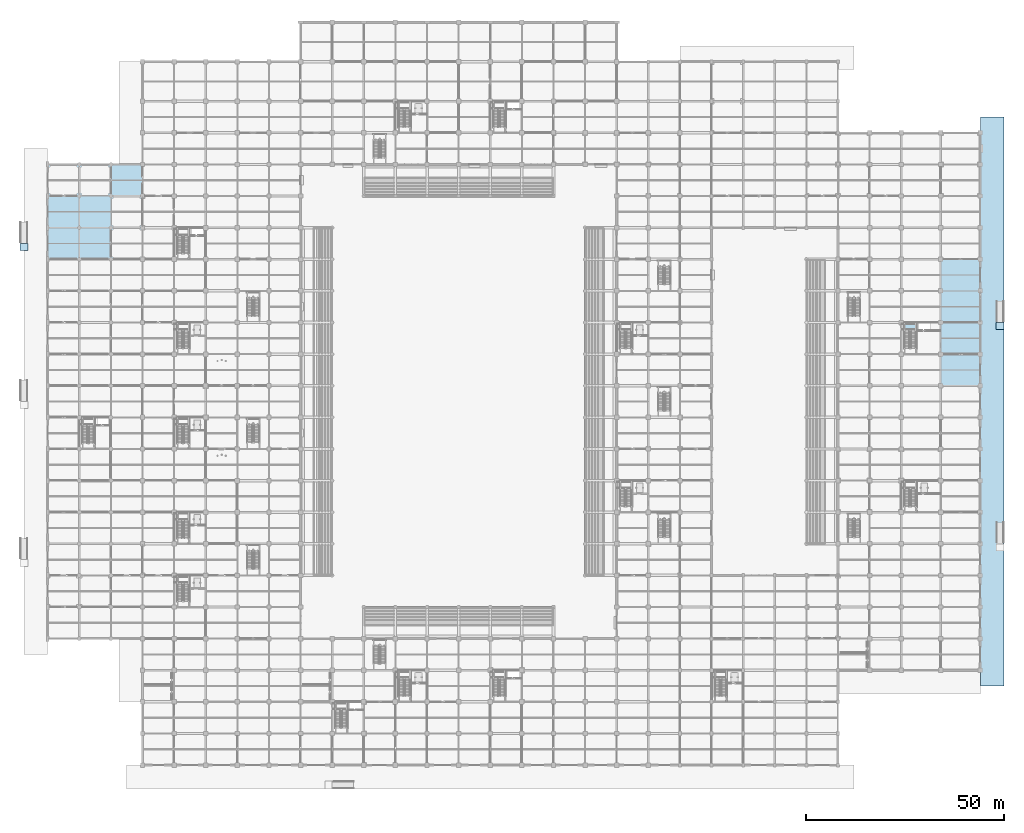
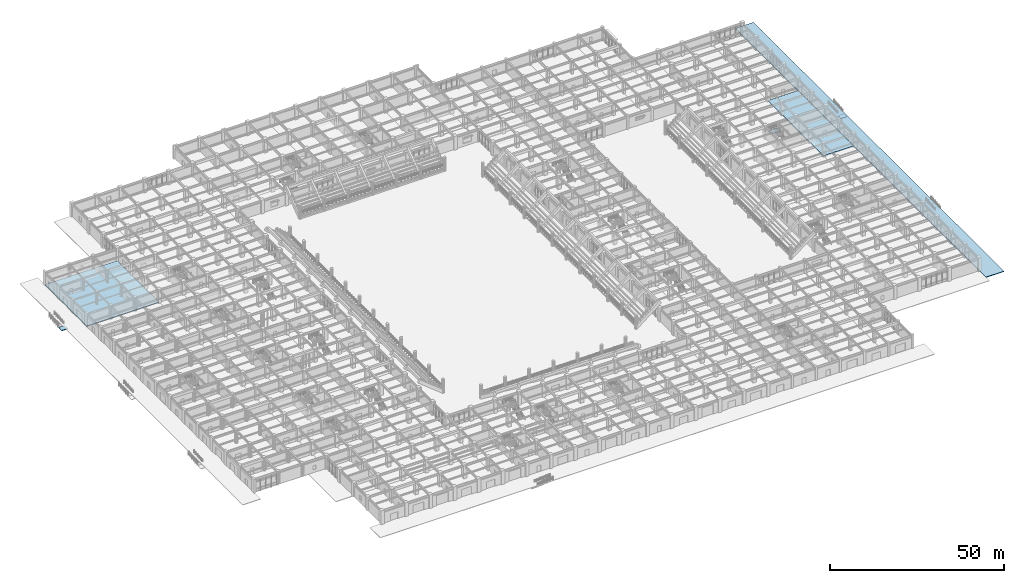
# One storey, part 67 of 125: 6 slabs, 1 element without a shape of its own.
"""IFC4 building model written with IfcOpenShell, lengths in metres."""

from ifc_helpers import new_model, si_unit, direction, frame, origin, place, context, subcontext, project, spatial, polyline, outline, extrude, material, layer, layer_set, type_object, element, aggregate, save


model = new_model("IFC4")

# Units and contexts
model_context = context("Model", 3, precision=1e-05, world=origin(), true_north=direction((0.0, 1.0)))
body_context = subcontext(model_context, "Body", "Model", "MODEL_VIEW")
ifc_project = project(units=[si_unit("LENGTHUNIT", "METRE"), si_unit("AREAUNIT", "SQUARE_METRE"), si_unit("VOLUMEUNIT", "CUBIC_METRE"), si_unit("PLANEANGLEUNIT", "RADIAN"), si_unit("MASSUNIT", "GRAM", prefix="KILO")], contexts=[model_context])

# Site, building, storey
site_placement = place(None, origin())
site = spatial("IfcSite", under=ifc_project, at=site_placement, CompositionType="ELEMENT")
building_placement = place(site_placement, origin())
building = spatial("IfcBuilding", under=site, at=building_placement, Name="Haebicheon Civic Stadium", CompositionType="ELEMENT")
storey_placement = place(building_placement, origin())
storey = spatial("IfcBuildingStorey", under=building, at=storey_placement, Name="L01", CompositionType="ELEMENT", Elevation=0.0)

# Slabs
ifc_material_1 = material(Name="Concrete C40/50", Category="concrete")
ifc_layer_1 = layer(ifc_material_1, 0.300048828125, Name="Concrete C40/50")
ifc_layer_set_1 = layer_set([ifc_layer_1], Name="Concrete C40/50")
slab_type_1 = type_object("IfcSlabType", Name="SLB-FLR-300", PredefinedType="FLOOR", material=ifc_layer_set_1)
slab_1_placement = place(storey_placement, frame((0.0, 0.0, -0.300048828125)))
element("IfcSlab", 1, at=slab_1_placement, inside=storey, type_object=slab_type_1, material=ifc_layer_set_1, Name="L01 V3 structural slab 9.1", PredefinedType="FLOOR", context=body_context, shape_type="SweptSolid", body=[
    extrude(outline(polyline([(226.0, 96.0), (226.0, 104.0), (226.0, 112.0), (226.0, 120.0), (226.0, 128.0), (236.0, 128.0), (236.0, 120.0), (236.0, 112.0), (236.0, 104.0), (236.0, 96.0), (226.0, 96.0)])), origin(), (0.0, 0.0, 1.0), 0.300048828125),
])
slab_2_placement = place(storey_placement, frame((0.0, 0.0, -0.300048828125)))
element("IfcSlab", 2, at=slab_2_placement, inside=storey, type_object=slab_type_1, material=ifc_layer_set_1, Name="L01 V5 structural slab 4.1", PredefinedType="FLOOR", context=body_context, shape_type="SweptSolid", body=[
    extrude(outline(polyline([(0.0, 144.0), (0.0, 152.0), (8.0, 152.0), (16.0, 152.0), (24.0, 152.0), (24.0, 144.0), (24.0, 136.0), (24.0, 128.0), (16.0, 128.0), (8.0, 128.0), (0.0, 128.0), (0.0, 136.0), (0.0, 144.0)])), origin(), (0.0, 0.0, 1.0), 0.300048828125),
])

# Stair, slab
ifc_material_2 = material(Name="Concrete C40/50", Category="concrete")
stair_type = type_object("IfcStairType", Name="STR-DL-W126-H48", PredefinedType="HALF_TURN_STAIR", material=ifc_material_2)
stair_placement = place(storey_placement, origin())
stair = element("IfcStair", 3, at=stair_placement, inside=storey, type_object=stair_type, material=ifc_material_2, Name="L01 Escape stair ST-13", PredefinedType="HALF_TURN_STAIR")
ifc_material_3 = material(Name="Concrete C40/50", Category="concrete")
ifc_layer_2 = layer(ifc_material_3, 0.199951171875, Name="Concrete C40/50")
ifc_layer_set_2 = layer_set([ifc_layer_2], Name="Concrete C40/50")
slab_type_2 = type_object("IfcSlabType", Name="SLB-LND-200", PredefinedType="LANDING", material=ifc_layer_set_2)
slab_3_placement = place(storey_placement, frame((0.0, 0.0, 2.199951171875)))
slab_3 = element("IfcSlab", 4, at=slab_3_placement, type_object=slab_type_2, material=ifc_layer_set_2, Name="ST-13 landing 1", PredefinedType="LANDING", context=body_context, shape_type="SweptSolid", body=[
    extrude(outline(polyline([(219.739990234375, 109.949951171875), (219.739990234375, 111.840087890625), (216.840087890625, 111.840087890625), (216.840087890625, 109.949951171875), (219.739990234375, 109.949951171875)])), origin(), (0.0, 0.0, 1.0), 0.199951171875),
])
aggregate(stair, [slab_3])

# Slabs
ifc_material_4 = material(Name="Precast concrete C35/45", Category="concrete")
ifc_layer_3 = layer(ifc_material_4, 0.199951171875, Name="Precast concrete C35/45")
ifc_layer_set_3 = layer_set([ifc_layer_3], Name="Precast concrete C35/45")
slab_type_3 = type_object("IfcSlabType", Name="SLB-PAV-200", PredefinedType="BASESLAB", material=ifc_layer_set_3)
slab_4_placement = place(storey_placement, frame((0.0, 0.0, -0.199951171875)))
element("IfcSlab", 5, at=slab_4_placement, inside=storey, type_object=slab_type_3, material=ifc_layer_set_3, Name="Exterior plaza paving apron APR-EAST-PLAZA", PredefinedType="BASESLAB", context=body_context, shape_type="SweptSolid", body=[
    extrude(outline(polyline([(236.0, 164.0), (242.0, 164.0), (242.0, 20.0), (236.0048828125, 20.0), (236.0048828125, 160.0048828125), (236.0, 160.0048828125), (236.0, 164.0)])), origin(), (0.0, 0.0, 1.0), 0.199951171875),
])
slab_5_placement = place(storey_placement, frame((0.0, 0.0, -0.64990234375)))
element("IfcSlab", 6, at=slab_5_placement, inside=storey, type_object=slab_type_3, material=ifc_layer_set_3, Name="Exterior paving ramp landing RMP-03", PredefinedType="BASESLAB", context=body_context, shape_type="SweptSolid", body=[
    extrude(outline(polyline([(-7.0, 130.199951171875), (-5.0, 130.199951171875), (-5.0, 132.0), (-7.0, 132.0), (-7.0, 130.199951171875)])), origin(), (0.0, 0.0, 1.0), 0.199951171875),
])
slab_6_placement = place(storey_placement, frame((0.0, 0.0, -0.64990234375)))
element("IfcSlab", 7, at=slab_6_placement, inside=storey, type_object=slab_type_3, material=ifc_layer_set_3, Name="Exterior paving ramp landing RMP-05", PredefinedType="BASESLAB", context=body_context, shape_type="SweptSolid", body=[
    extrude(outline(polyline([(240.0, 110.199951171875), (242.0, 110.199951171875), (242.0, 112.0), (240.0, 112.0), (240.0, 110.199951171875)])), origin(), (0.0, 0.0, 1.0), 0.199951171875),
])

save(model, "model.ifc")
